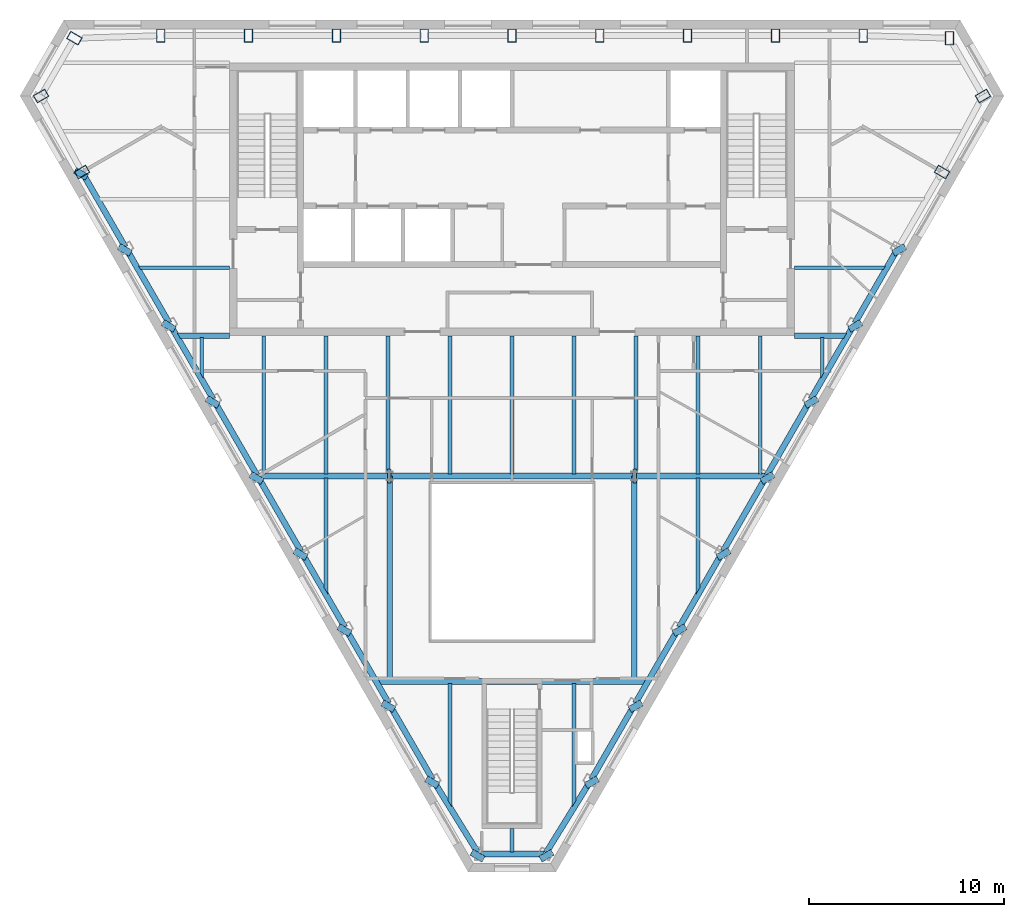
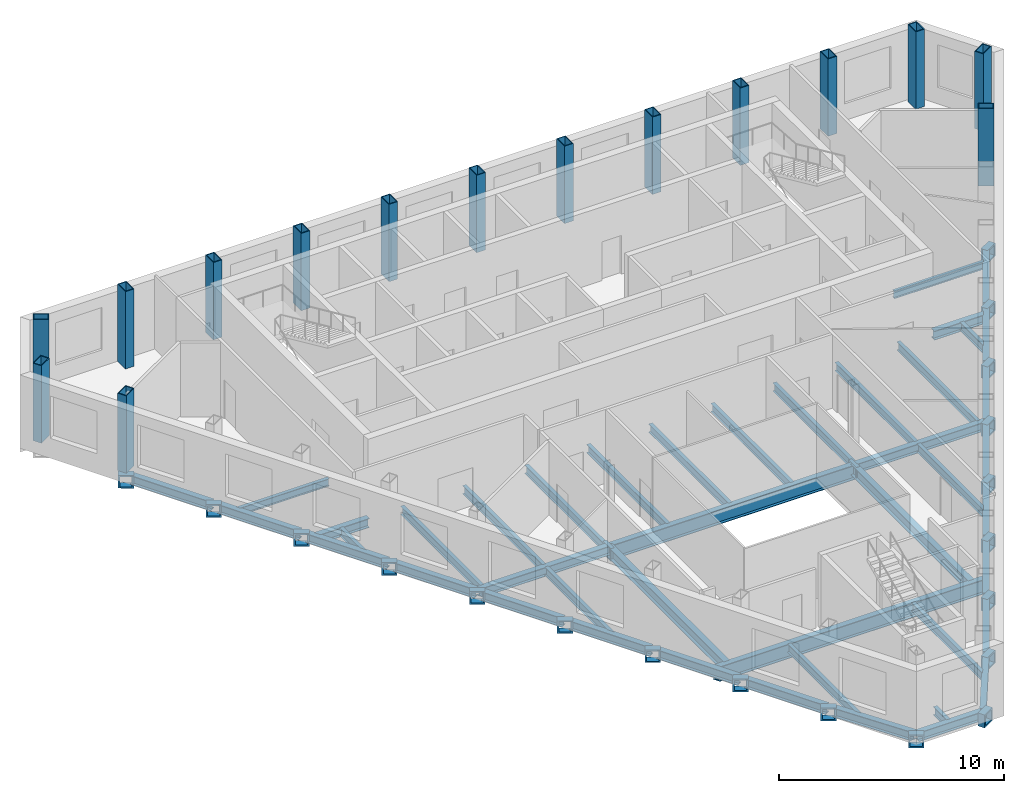
# One storey, part 2 of 11: 65 beams, 15 columns.
"""IFC4 building model written with IfcOpenShell, lengths in metres."""

from ifc_helpers import new_model, si_unit, direction, frame, origin, origin_2d, place, context, subcontext, project, spatial, hollow_rectangle, i_section, extrude, clip, halfspace, material, material_profile, profile_set, type_object, element, save


model = new_model("IFC4")

# Units and contexts
model_context = context("Model", 3, precision=1e-05, world=origin(), true_north=direction((0.0, 1.0)))
body_context = subcontext(model_context, "Body", "Model", "MODEL_VIEW")
ifc_project = project(units=[si_unit("LENGTHUNIT", "METRE"), si_unit("AREAUNIT", "SQUARE_METRE"), si_unit("VOLUMEUNIT", "CUBIC_METRE"), si_unit("PLANEANGLEUNIT", "RADIAN"), si_unit("MASSUNIT", "GRAM", prefix="KILO")], contexts=[model_context])

# Site, building, storey
site_placement = place(None, origin())
site = spatial("IfcSite", under=ifc_project, at=site_placement, CompositionType="ELEMENT")
building_placement = place(site_placement, origin())
building = spatial("IfcBuilding", under=site, at=building_placement, Name="Njiva Tower", CompositionType="ELEMENT")
storey_placement = place(building_placement, frame((0.0, 0.0, 312.6)))
storey = spatial("IfcBuildingStorey", under=building, at=storey_placement, Name="L71", CompositionType="ELEMENT", Elevation=312.6)

# Columns
ifc_material = material(Name="Steel S355 J2", Category="steel")
ifc_material_profile_1 = material_profile(ifc_material, hollow_rectangle(XDim=0.45, YDim=0.7, WallThickness=0.04, at=origin_2d()), Name="BOX 700x450x40")
ifc_profile_set_1 = profile_set([ifc_material_profile_1], Name="Steel S355 J2")
column_type = type_object("IfcColumnType", Name="C15 Perimeter tube column BOX 700x450x40", PredefinedType="COLUMN", material=ifc_profile_set_1)
for number, where, z_axis, x_axis, name in (
    (1, (22.456, 19.267, 0.0), (0.0, 0.0, 1.0), (-1.0, 0.0, 0.0), "Perimeter tube column S24-C01"),
    (2, (18.026, 19.4, 0.0), (0.0, 0.0, 1.0), (-1.0, 0.0, 0.0), "Perimeter tube column S24-C02"),
    (3, (13.52, 19.4, 0.0), (0.0, 0.0, 1.0), (-1.0, 0.0, 0.0), "Perimeter tube column S24-C03"),
    (4, (9.013, 19.4, 0.0), (0.0, 0.0, 1.0), (-1.0, 0.0, 0.0), "Perimeter tube column S24-C04"),
    (5, (4.507, 19.4, 0.0), (0.0, 0.0, 1.0), (-1.0, 0.0, 0.0), "Perimeter tube column S24-C05"),
    (6, (0.0, 19.4, 0.0), (0.0, 0.0, 1.0), (-1.0, 0.0, 0.0), "Perimeter tube column S24-C06"),
    (7, (-4.507, 19.4, 0.0), (0.0, 0.0, 1.0), (-1.0, 0.0, 0.0), "Perimeter tube column S24-C07"),
    (8, (-9.013, 19.4, 0.0), (0.0, 0.0, 1.0), (-1.0, 0.0, 0.0), "Perimeter tube column S24-C08"),
    (9, (-13.52, 19.4, 0.0), (0.0, 0.0, 1.0), (-1.0, 0.0, 0.0), "Perimeter tube column S24-C09"),
    (10, (-18.026, 19.4, 0.0), (0.0, 0.0, 1.0), (-1.0, 0.0, 0.0), "Perimeter tube column S24-C10"),
    (11, (-22.456, 19.267, 0.0), (0.0, 0.0, 1.0), (-0.5, -0.866025403784, 0.0), "Perimeter tube column S24-C11"),
    (12, (-24.168, 16.303, 0.0), (0.0, 0.0, 1.0), (0.5, -0.866025403784, 0.0), "Perimeter tube column S24-C12"),
    (13, (-22.068, 12.4, 0.0), (0.0, 0.0, 1.0), (0.5, -0.866025403784, 0.0), "Perimeter tube column S24-C13"),
    (14, (22.068, 12.4, 0.0), (0.0, 0.0, 1.0), (0.5, 0.866025403784, 0.0), "Perimeter tube column S24-C32"),
    (15, (24.168, 16.303, 0.0), (0.0, 0.0, 1.0), (-0.5, 0.866025403784, 0.0), "Perimeter tube column S24-C33"),
):
    element("IfcColumn", number, at=place(storey_placement, frame(where, z_axis=z_axis, x_axis=x_axis)), inside=storey, type_object=column_type, Name=name, PredefinedType="COLUMN", context=body_context, shape_type="SweptSolid", body=[
        extrude(hollow_rectangle(XDim=0.45, YDim=0.7, WallThickness=0.04, at=origin_2d()), origin(), (0.0, 0.0, 1.0), 4.2),
    ])

# Beams
ifc_material_profile_2 = material_profile(ifc_material, hollow_rectangle(XDim=0.7, YDim=0.7, WallThickness=0.08, at=origin_2d()), Name="BOX 700x700x80")
ifc_profile_set_2 = profile_set([ifc_material_profile_2], Name="Steel S355 J2")
beam_type_1 = type_object("IfcBeamType", Name="B19 Column jog beam BOX 700x700x80", PredefinedType="BEAM", material=ifc_profile_set_2)
for number, where, z_axis, x_axis, name in (
    (16, (-22.208, 12.158, -0.55), (0.500571914019, 0.865694957185, 0.0), (-0.865694957185, 0.500571914019, 0.0), "Column jog beam S24-B016"),
    (17, (-19.955, 8.255, -0.55), (0.500571914019, 0.865694957185, 0.0), (-0.865694957185, 0.500571914019, 0.0), "Column jog beam S24-B017"),
    (18, (-17.701, 4.352, -0.55), (0.500571914019, 0.865694957185, 0.0), (-0.865694957185, 0.500571914019, 0.0), "Column jog beam S24-B018"),
    (19, (-15.448, 0.449, -0.55), (0.500571914019, 0.865694957185, 0.0), (-0.865694957185, 0.500571914019, 0.0), "Column jog beam S24-B019"),
):
    element("IfcBeam", number, at=place(storey_placement, frame(where, z_axis=z_axis, x_axis=x_axis)), inside=storey, type_object=beam_type_1, Name=name, PredefinedType="BEAM", context=body_context, shape_type="SweptSolid", body=[
        extrude(hollow_rectangle(XDim=0.7, YDim=0.7, WallThickness=0.08, at=origin_2d()), origin(), (0.0, 0.0, 1.0), 0.3396),
    ])
for number, where, z_axis, x_axis, name in (
    (20, (-13.195, -3.454, -0.55), (0.499298623879, 0.866429964967, 0.0), (-0.866429964967, 0.499298623879, 0.0), "Column jog beam S24-B020"),
    (21, (-10.941, -7.357, -0.55), (0.499298623879, 0.866429964967, 0.0), (-0.866429964967, 0.499298623879, 0.0), "Column jog beam S24-B021"),
    (22, (-8.688, -11.26, -0.55), (0.499298623879, 0.866429964967, 0.0), (-0.866429964967, 0.499298623879, 0.0), "Column jog beam S24-B022"),
):
    element("IfcBeam", number, at=place(storey_placement, frame(where, z_axis=z_axis, x_axis=x_axis)), inside=storey, type_object=beam_type_1, Name=name, PredefinedType="BEAM", context=body_context, shape_type="SweptSolid", body=[
        extrude(hollow_rectangle(XDim=0.7, YDim=0.7, WallThickness=0.08, at=origin_2d()), origin(), (0.0, 0.0, 1.0), 0.3405),
    ])
for number, where, z_axis, x_axis, name in (
    (23, (-6.435, -15.162, -0.55), (0.500571914019, 0.865694957185, 0.0), (-0.865694957185, 0.500571914019, 0.0), "Column jog beam S24-B023"),
    (24, (-4.181, -19.065, -0.55), (0.500571914019, 0.865694957185, 0.0), (-0.865694957185, 0.500571914019, 0.0), "Column jog beam S24-B025"),
    (25, (-1.851, -22.835, -0.55), (0.500571914019, 0.865694957185, 0.0), (-0.865694957185, 0.500571914019, 0.0), "Column jog beam S24-B026"),
    (26, (1.851, -22.835, -0.55), (-0.500571914019, 0.865694957185, 0.0), (-0.865694957185, -0.500571914019, 0.0), "Column jog beam S24-B027"),
    (27, (4.181, -19.065, -0.55), (-0.500571914019, 0.865694957185, 0.0), (-0.865694957185, -0.500571914019, 0.0), "Column jog beam S24-B028"),
    (28, (6.435, -15.162, -0.55), (-0.500571914019, 0.865694957185, 0.0), (-0.865694957185, -0.500571914019, 0.0), "Column jog beam S24-B030"),
):
    element("IfcBeam", number, at=place(storey_placement, frame(where, z_axis=z_axis, x_axis=x_axis)), inside=storey, type_object=beam_type_1, Name=name, PredefinedType="BEAM", context=body_context, shape_type="SweptSolid", body=[
        extrude(hollow_rectangle(XDim=0.7, YDim=0.7, WallThickness=0.08, at=origin_2d()), origin(), (0.0, 0.0, 1.0), 0.3396),
    ])
for number, where, z_axis, x_axis, name in (
    (29, (8.688, -11.26, -0.55), (-0.499298623879, 0.866429964967, 0.0), (-0.866429964967, -0.499298623879, 0.0), "Column jog beam S24-B031"),
    (30, (10.941, -7.357, -0.55), (-0.499298623879, 0.866429964967, 0.0), (-0.866429964967, -0.499298623879, 0.0), "Column jog beam S24-B032"),
    (31, (13.195, -3.454, -0.55), (-0.499298623879, 0.866429964967, 0.0), (-0.866429964967, -0.499298623879, 0.0), "Column jog beam S24-B033"),
):
    element("IfcBeam", number, at=place(storey_placement, frame(where, z_axis=z_axis, x_axis=x_axis)), inside=storey, type_object=beam_type_1, Name=name, PredefinedType="BEAM", context=body_context, shape_type="SweptSolid", body=[
        extrude(hollow_rectangle(XDim=0.7, YDim=0.7, WallThickness=0.08, at=origin_2d()), origin(), (0.0, 0.0, 1.0), 0.3405),
    ])
for number, where, z_axis, x_axis, name in (
    (32, (15.448, 0.449, -0.55), (-0.500571914019, 0.865694957185, 0.0), (-0.865694957185, -0.500571914019, 0.0), "Column jog beam S24-B034"),
    (33, (17.701, 4.352, -0.55), (-0.500571914019, 0.865694957185, 0.0), (-0.865694957185, -0.500571914019, 0.0), "Column jog beam S24-B035"),
    (34, (19.955, 8.255, -0.55), (-0.500571914019, 0.865694957185, 0.0), (-0.865694957185, -0.500571914019, 0.0), "Column jog beam S24-B036"),
):
    element("IfcBeam", number, at=place(storey_placement, frame(where, z_axis=z_axis, x_axis=x_axis)), inside=storey, type_object=beam_type_1, Name=name, PredefinedType="BEAM", context=body_context, shape_type="SweptSolid", body=[
        extrude(hollow_rectangle(XDim=0.7, YDim=0.7, WallThickness=0.08, at=origin_2d()), origin(), (0.0, 0.0, 1.0), 0.3396),
    ])
for number, where, z_axis, x_axis, name in (
    (35, (6.39, -3.2, -0.55), (-1.0, 0.0, 0.0), (0.0, -1.0, 0.0), "Column jog beam S24-B029"),
    (36, (-6.39, -3.2, -0.55), (1.0, 0.0, 0.0), (0.0, 1.0, 0.0), "Column jog beam S24-B024"),
):
    element("IfcBeam", number, at=place(storey_placement, frame(where, z_axis=z_axis, x_axis=x_axis)), inside=storey, type_object=beam_type_1, Name=name, PredefinedType="BEAM", context=body_context, shape_type="SweptSolid", body=[
        extrude(hollow_rectangle(XDim=0.7, YDim=0.7, WallThickness=0.08, at=origin_2d()), origin(), (0.0, 0.0, 1.0), 0.18),
    ])
ifc_material_profile_3 = material_profile(ifc_material, i_section(OverallWidth=0.3, OverallDepth=0.59, WebThickness=0.013, FlangeThickness=0.025, at=origin_2d()), Name="HEA 600")
ifc_profile_set_3 = profile_set([ifc_material_profile_3], Name="Steel S355 J2")
beam_type_2 = type_object("IfcBeamType", Name="B30 Long-span atrium trimmer beam HEA 600", PredefinedType="BEAM", material=ifc_profile_set_3)
for number, where, z_axis, x_axis, name in (
    (37, (6.27, -13.65, -0.495), (0.0, 1.0, 0.0), (-1.0, 0.0, 0.0), "Long-span atrium trimmer beam S24-B064"),
    (38, (-6.27, -3.2, -0.495), (0.0, -1.0, 0.0), (1.0, 0.0, 0.0), "Long-span atrium trimmer beam S24-B061"),
):
    element("IfcBeam", number, at=place(storey_placement, frame(where, z_axis=z_axis, x_axis=x_axis)), inside=storey, type_object=beam_type_2, Name=name, PredefinedType="BEAM", context=body_context, shape_type="SweptSolid", body=[
        extrude(i_section(OverallWidth=0.3, OverallDepth=0.59, WebThickness=0.013, FlangeThickness=0.025, at=origin_2d()), origin(), (0.0, 0.0, 1.0), 10.45),
    ])
ifc_material_profile_4 = material_profile(ifc_material, i_section(OverallWidth=0.3, OverallDepth=0.49, WebThickness=0.012, FlangeThickness=0.023, at=origin_2d()), Name="HEA 500")
ifc_profile_set_4 = profile_set([ifc_material_profile_4], Name="Steel S355 J2")
beam_type_3 = type_object("IfcBeamType", Name="B48 Short-span spandrel beam HEA 500", PredefinedType="SPANDREL", material=ifc_profile_set_4)
beam_1_placement = place(storey_placement, frame((-21.926, 12.154, -0.445), z_axis=(0.500097243556, -0.865969252911, 0.0), x_axis=(0.865969252911, 0.500097243556, 0.0)))
element("IfcBeam", 39, at=beam_1_placement, inside=storey, type_object=beam_type_3, Name="Short-span spandrel beam S24-B071", PredefinedType="SPANDREL", context=body_context, shape_type="SweptSolid", body=[
    extrude(i_section(OverallWidth=0.3, OverallDepth=0.49, WebThickness=0.012, FlangeThickness=0.023, at=origin_2d()), origin(), (0.0, 0.0, 1.0), 4.1572),
])
beam_2_placement = place(storey_placement, frame((-19.672, 8.251, -0.445), z_axis=(0.499916824138, -0.866073420066, 0.0), x_axis=(0.866073420066, 0.499916824138, 0.0)))
element("IfcBeam", 40, at=beam_2_placement, inside=storey, type_object=beam_type_3, Name="Short-span spandrel beam S24-B073", PredefinedType="SPANDREL", context=body_context, shape_type="SweptSolid", body=[
    extrude(i_section(OverallWidth=0.3, OverallDepth=0.49, WebThickness=0.012, FlangeThickness=0.023, at=origin_2d()), origin(), (0.0, 0.0, 1.0), 4.1567),
])
for number, where, z_axis, x_axis, name in (
    (41, (-17.419, 4.348, -0.445), (0.500097243556, -0.865969252911, 0.0), (0.865969252911, 0.500097243556, 0.0), "Short-span spandrel beam S24-B076"),
    (42, (-15.166, 0.445, -0.445), (0.500097243556, -0.865969252911, 0.0), (0.865969252911, 0.500097243556, 0.0), "Short-span spandrel beam S24-B078"),
):
    element("IfcBeam", number, at=place(storey_placement, frame(where, z_axis=z_axis, x_axis=x_axis)), inside=storey, type_object=beam_type_3, Name=name, PredefinedType="SPANDREL", context=body_context, shape_type="SweptSolid", body=[
        extrude(i_section(OverallWidth=0.3, OverallDepth=0.49, WebThickness=0.012, FlangeThickness=0.023, at=origin_2d()), origin(), (0.0, 0.0, 1.0), 4.1572),
    ])
beam_3_placement = place(storey_placement, frame((-12.912, -3.458, -0.445), z_axis=(0.499916824138, -0.866073420066, 0.0), x_axis=(0.866073420066, 0.499916824138, 0.0)))
element("IfcBeam", 43, at=beam_3_placement, inside=storey, type_object=beam_type_3, Name="Short-span spandrel beam S24-B081", PredefinedType="SPANDREL", context=body_context, shape_type="SweptSolid", body=[
    extrude(i_section(OverallWidth=0.3, OverallDepth=0.49, WebThickness=0.012, FlangeThickness=0.023, at=origin_2d()), origin(), (0.0, 0.0, 1.0), 4.1567),
])
beam_4_placement = place(storey_placement, frame((-10.659, -7.361, -0.445), z_axis=(0.500097243556, -0.865969252911, 0.0), x_axis=(0.865969252911, 0.500097243556, 0.0)))
element("IfcBeam", 44, at=beam_4_placement, inside=storey, type_object=beam_type_3, Name="Short-span spandrel beam S24-B083", PredefinedType="SPANDREL", context=body_context, shape_type="SweptSolid", body=[
    extrude(i_section(OverallWidth=0.3, OverallDepth=0.49, WebThickness=0.012, FlangeThickness=0.023, at=origin_2d()), origin(), (0.0, 0.0, 1.0), 4.1572),
])
beam_5_placement = place(storey_placement, frame((-8.405, -11.264, -0.445), z_axis=(0.500021003115, -0.866013277291, 0.0), x_axis=(0.866013277291, 0.500021003115, 0.0)))
element("IfcBeam", 45, at=beam_5_placement, inside=storey, type_object=beam_type_3, Name="Short-span spandrel beam S24-B086", PredefinedType="SPANDREL", context=body_context, shape_type="SweptSolid", body=[
    extrude(i_section(OverallWidth=0.3, OverallDepth=0.49, WebThickness=0.012, FlangeThickness=0.023, at=origin_2d()), origin(), (0.0, 0.0, 1.0), 4.1558),
])
beam_6_placement = place(storey_placement, frame((-6.153, -15.166, -0.445), z_axis=(0.500097243556, -0.865969252911, 0.0), x_axis=(0.865969252911, 0.500097243556, 0.0)))
element("IfcBeam", 46, at=beam_6_placement, inside=storey, type_object=beam_type_3, Name="Short-span spandrel beam S24-B088", PredefinedType="SPANDREL", context=body_context, shape_type="SweptSolid", body=[
    extrude(i_section(OverallWidth=0.3, OverallDepth=0.49, WebThickness=0.012, FlangeThickness=0.023, at=origin_2d()), origin(), (0.0, 0.0, 1.0), 4.1572),
])
beam_7_placement = place(storey_placement, frame((-3.89, -19.068, -0.445), z_axis=(0.525805714585, -0.850604696972, 0.0), x_axis=(0.850604696972, 0.525805714585, 0.0)))
element("IfcBeam", 47, at=beam_7_placement, inside=storey, type_object=beam_type_3, Name="Short-span spandrel beam S24-B091", PredefinedType="SPANDREL", context=body_context, shape_type="Clipping", body=[
    clip(extrude(i_section(OverallWidth=0.3, OverallDepth=0.49, WebThickness=0.012, FlangeThickness=0.023, at=origin_2d()), origin(), (0.0, 0.0, 1.0), 4.1278), halfspace(frame((-0.0263, 0.0, 3.9985), z_axis=(-0.525805714585, 0.0, 0.850604696972), x_axis=(0.0, 1.0, 0.0)), False)),
])
beam_8_placement = place(storey_placement, frame((-1.646, -22.593, -0.445), z_axis=(1.0, 0.0, 0.0), x_axis=(0.0, 1.0, 0.0)))
element("IfcBeam", 48, at=beam_8_placement, inside=storey, type_object=beam_type_3, Name="Short-span spandrel beam S24-B092", PredefinedType="SPANDREL", context=body_context, shape_type="Clipping", body=[
    clip(extrude(i_section(OverallWidth=0.3, OverallDepth=0.49, WebThickness=0.012, FlangeThickness=0.023, at=origin_2d()), origin(), (0.0, 0.0, 1.0), 3.338), halfspace(frame((-0.0245, 0.0, 3.2161), z_axis=(-0.499998009787, 0.0, 0.866026552831), x_axis=(0.0, 1.0, 0.0)), False)),
])
beam_9_placement = place(storey_placement, frame((1.747, -22.534, -0.445), z_axis=(0.525889887246, 0.850552659447, 0.0), x_axis=(-0.850552659447, 0.525889887246, 0.0)))
element("IfcBeam", 49, at=beam_9_placement, inside=storey, type_object=beam_type_3, Name="Short-span spandrel beam S24-B095", PredefinedType="SPANDREL", context=body_context, shape_type="SweptSolid", body=[
    extrude(i_section(OverallWidth=0.3, OverallDepth=0.49, WebThickness=0.012, FlangeThickness=0.023, at=origin_2d()), origin(), (0.0, 0.0, 1.0), 4.075),
])
beam_10_placement = place(storey_placement, frame((4.074, -18.766, -0.445), z_axis=(0.500097243556, 0.865969252911, 0.0), x_axis=(-0.865969252911, 0.500097243556, 0.0)))
element("IfcBeam", 50, at=beam_10_placement, inside=storey, type_object=beam_type_3, Name="Short-span spandrel beam S24-B097", PredefinedType="SPANDREL", context=body_context, shape_type="SweptSolid", body=[
    extrude(i_section(OverallWidth=0.3, OverallDepth=0.49, WebThickness=0.012, FlangeThickness=0.023, at=origin_2d()), origin(), (0.0, 0.0, 1.0), 4.1572),
])
beam_11_placement = place(storey_placement, frame((6.327, -14.863, -0.445), z_axis=(0.500021003115, 0.866013277291, 0.0), x_axis=(-0.866013277291, 0.500021003115, 0.0)))
element("IfcBeam", 51, at=beam_11_placement, inside=storey, type_object=beam_type_3, Name="Short-span spandrel beam S24-B100", PredefinedType="SPANDREL", context=body_context, shape_type="SweptSolid", body=[
    extrude(i_section(OverallWidth=0.3, OverallDepth=0.49, WebThickness=0.012, FlangeThickness=0.023, at=origin_2d()), origin(), (0.0, 0.0, 1.0), 4.1558),
])
beam_12_placement = place(storey_placement, frame((8.58, -10.961, -0.445), z_axis=(0.500097243556, 0.865969252911, 0.0), x_axis=(-0.865969252911, 0.500097243556, 0.0)))
element("IfcBeam", 52, at=beam_12_placement, inside=storey, type_object=beam_type_3, Name="Short-span spandrel beam S24-B102", PredefinedType="SPANDREL", context=body_context, shape_type="SweptSolid", body=[
    extrude(i_section(OverallWidth=0.3, OverallDepth=0.49, WebThickness=0.012, FlangeThickness=0.023, at=origin_2d()), origin(), (0.0, 0.0, 1.0), 4.1572),
])
beam_13_placement = place(storey_placement, frame((10.834, -7.058, -0.445), z_axis=(0.499916824138, 0.866073420066, 0.0), x_axis=(-0.866073420066, 0.499916824138, 0.0)))
element("IfcBeam", 53, at=beam_13_placement, inside=storey, type_object=beam_type_3, Name="Short-span spandrel beam S24-B105", PredefinedType="SPANDREL", context=body_context, shape_type="SweptSolid", body=[
    extrude(i_section(OverallWidth=0.3, OverallDepth=0.49, WebThickness=0.012, FlangeThickness=0.023, at=origin_2d()), origin(), (0.0, 0.0, 1.0), 4.1567),
])
for number, where, z_axis, x_axis, name in (
    (54, (13.087, -3.155, -0.445), (0.500097243556, 0.865969252911, 0.0), (-0.865969252911, 0.500097243556, 0.0), "Short-span spandrel beam S24-B107"),
    (55, (15.34, 0.748, -0.445), (0.500097243556, 0.865969252911, 0.0), (-0.865969252911, 0.500097243556, 0.0), "Short-span spandrel beam S24-B110"),
):
    element("IfcBeam", number, at=place(storey_placement, frame(where, z_axis=z_axis, x_axis=x_axis)), inside=storey, type_object=beam_type_3, Name=name, PredefinedType="SPANDREL", context=body_context, shape_type="SweptSolid", body=[
        extrude(i_section(OverallWidth=0.3, OverallDepth=0.49, WebThickness=0.012, FlangeThickness=0.023, at=origin_2d()), origin(), (0.0, 0.0, 1.0), 4.1572),
    ])
beam_14_placement = place(storey_placement, frame((17.594, 4.651, -0.445), z_axis=(0.499916824138, 0.866073420066, 0.0), x_axis=(-0.866073420066, 0.499916824138, 0.0)))
element("IfcBeam", 56, at=beam_14_placement, inside=storey, type_object=beam_type_3, Name="Short-span spandrel beam S24-B112", PredefinedType="SPANDREL", context=body_context, shape_type="SweptSolid", body=[
    extrude(i_section(OverallWidth=0.3, OverallDepth=0.49, WebThickness=0.012, FlangeThickness=0.023, at=origin_2d()), origin(), (0.0, 0.0, 1.0), 4.1567),
])
ifc_material_profile_5 = material_profile(ifc_material, i_section(OverallWidth=0.3, OverallDepth=0.49, WebThickness=0.012, FlangeThickness=0.023, at=origin_2d()), Name="HEA 500")
ifc_profile_set_5 = profile_set([ifc_material_profile_5], Name="Steel S355 J2")
beam_type_4 = type_object("IfcBeamType", Name="B49 Floor girder HEA 500", PredefinedType="BEAM", material=ifc_profile_set_5)
beam_15_placement = place(storey_placement, frame((-13.042, -3.2, -0.445), z_axis=(1.0, 0.0, 0.0), x_axis=(0.0, 1.0, 0.0)))
element("IfcBeam", 57, at=beam_15_placement, inside=storey, type_object=beam_type_4, Name="Floor girder S24-B010", PredefinedType="BEAM", context=body_context, shape_type="Clipping", body=[
    clip(extrude(i_section(OverallWidth=0.3, OverallDepth=0.49, WebThickness=0.012, FlangeThickness=0.023, at=origin_2d()), origin(), (0.0, 0.0, 1.0), 6.772), halfspace(frame((-0.025, 0.0, 0.1212), z_axis=(-0.499998009787, 0.0, -0.866026552831), x_axis=(0.0, -1.0, 0.0)), False)),
])
beam_16_placement = place(storey_placement, frame((6.27, -3.2, -0.445), z_axis=(1.0, 0.0, 0.0), x_axis=(0.0, 1.0, 0.0)))
element("IfcBeam", 58, at=beam_16_placement, inside=storey, type_object=beam_type_4, Name="Floor girder S24-B013", PredefinedType="BEAM", context=body_context, shape_type="Clipping", body=[
    clip(extrude(i_section(OverallWidth=0.3, OverallDepth=0.49, WebThickness=0.012, FlangeThickness=0.023, at=origin_2d()), origin(), (0.0, 0.0, 1.0), 6.772), halfspace(frame((-0.025, 0.0, 6.6508), z_axis=(-0.499998009787, 0.0, 0.866026552831), x_axis=(0.0, 1.0, 0.0)), False)),
])
ifc_material_profile_6 = material_profile(ifc_material, i_section(OverallWidth=0.3, OverallDepth=0.49, WebThickness=0.012, FlangeThickness=0.023, at=origin_2d()), Name="HEA 500")
ifc_profile_set_6 = profile_set([ifc_material_profile_6], Name="Steel S355 J2")
beam_type_5 = type_object("IfcBeamType", Name="B50 Short-span floor girder HEA 500", PredefinedType="BEAM", material=ifc_profile_set_6)
beam_17_placement = place(storey_placement, frame((-17.21, 4.0, -0.445), z_axis=(1.0, 0.0, 0.0), x_axis=(0.0, 1.0, 0.0)))
element("IfcBeam", 59, at=beam_17_placement, inside=storey, type_object=beam_type_5, Name="Short-span floor girder S24-B009", PredefinedType="BEAM", context=body_context, shape_type="Clipping", body=[
    clip(extrude(i_section(OverallWidth=0.3, OverallDepth=0.49, WebThickness=0.012, FlangeThickness=0.023, at=origin_2d()), origin(), (0.0, 0.0, 1.0), 2.71), halfspace(frame((-0.025, 0.0, 0.1217), z_axis=(-0.499998009787, 0.0, -0.866026552831), x_axis=(0.0, -1.0, 0.0)), False)),
])
beam_18_placement = place(storey_placement, frame((14.5, 4.0, -0.445), z_axis=(1.0, 0.0, 0.0), x_axis=(0.0, 1.0, 0.0)))
element("IfcBeam", 60, at=beam_18_placement, inside=storey, type_object=beam_type_5, Name="Short-span floor girder S24-B014", PredefinedType="BEAM", context=body_context, shape_type="Clipping", body=[
    clip(extrude(i_section(OverallWidth=0.3, OverallDepth=0.49, WebThickness=0.012, FlangeThickness=0.023, at=origin_2d()), origin(), (0.0, 0.0, 1.0), 2.71), halfspace(frame((-0.025, 0.0, 2.5883), z_axis=(-0.499998009787, 0.0, 0.866026552831), x_axis=(0.0, 1.0, 0.0)), False)),
])
ifc_material_profile_7 = material_profile(ifc_material, i_section(OverallWidth=0.18, OverallDepth=0.4, WebThickness=0.0086, FlangeThickness=0.0135, at=origin_2d()), Name="IPE 400")
ifc_profile_set_7 = profile_set([ifc_material_profile_7], Name="Steel S355 J2")
beam_type_6 = type_object("IfcBeamType", Name="B51 Floor beam to the core IPE 400", PredefinedType="BEAM", material=ifc_profile_set_7)
beam_19_placement = place(storey_placement, frame((-19.195, 7.5, -0.4), z_axis=(1.0, 0.0, 0.0), x_axis=(0.0, 1.0, 0.0)))
element("IfcBeam", 61, at=beam_19_placement, inside=storey, type_object=beam_type_6, Name="Floor beam to the core S24-B004", PredefinedType="BEAM", context=body_context, shape_type="Clipping", body=[
    clip(extrude(i_section(OverallWidth=0.18, OverallDepth=0.4, WebThickness=0.0086, FlangeThickness=0.0135, at=origin_2d()), origin(), (0.0, 0.0, 1.0), 4.695), halfspace(frame((-0.025, 0.0, 0.086), z_axis=(-0.499998009787, 0.0, -0.866026552831), x_axis=(0.0, -1.0, 0.0)), False)),
])
beam_20_placement = place(storey_placement, frame((14.5, 7.5, -0.4), z_axis=(1.0, 0.0, 0.0), x_axis=(0.0, 1.0, 0.0)))
element("IfcBeam", 62, at=beam_20_placement, inside=storey, type_object=beam_type_6, Name="Floor beam to the core S24-B005", PredefinedType="BEAM", context=body_context, shape_type="Clipping", body=[
    clip(extrude(i_section(OverallWidth=0.18, OverallDepth=0.4, WebThickness=0.0086, FlangeThickness=0.0135, at=origin_2d()), origin(), (0.0, 0.0, 1.0), 4.695), halfspace(frame((-0.025, 0.0, 4.609), z_axis=(-0.499998009787, 0.0, 0.866026552831), x_axis=(0.0, 1.0, 0.0)), False)),
])
ifc_material_profile_8 = material_profile(ifc_material, i_section(OverallWidth=0.19, OverallDepth=0.45, WebThickness=0.0094, FlangeThickness=0.0146, at=origin_2d()), Name="IPE 450")
ifc_profile_set_8 = profile_set([ifc_material_profile_8], Name="Steel S355 J2")
beam_type_7 = type_object("IfcBeamType", Name="B52 Short-span floor joist IPE 450", PredefinedType="JOIST", material=ifc_profile_set_8)
beam_21_placement = place(storey_placement, frame((-15.917, 3.9, -0.425), z_axis=(0.0, -1.0, 0.0), x_axis=(1.0, 0.0, 0.0)))
element("IfcBeam", 63, at=beam_21_placement, inside=storey, type_object=beam_type_7, Name="Short-span floor joist S24-B039", PredefinedType="JOIST", context=body_context, shape_type="Clipping", body=[
    clip(extrude(i_section(OverallWidth=0.19, OverallDepth=0.45, WebThickness=0.0094, FlangeThickness=0.0146, at=origin_2d()), origin(), (0.0, 0.0, 1.0), 2.139), halfspace(frame((-0.043, 0.0, 1.8793), z_axis=(-0.866026552831, 0.0, 0.499998009787), x_axis=(0.0, 1.0, 0.0)), False)),
])
beam_22_placement = place(storey_placement, frame((0.0, -21.3, -0.425), z_axis=(0.0, -1.0, 0.0), x_axis=(1.0, 0.0, 0.0)))
element("IfcBeam", 64, at=beam_22_placement, inside=storey, type_object=beam_type_7, Name="Short-span floor joist S24-B048", PredefinedType="JOIST", context=body_context, shape_type="SweptSolid", body=[
    extrude(i_section(OverallWidth=0.19, OverallDepth=0.45, WebThickness=0.0094, FlangeThickness=0.0146, at=origin_2d()), origin(), (0.0, 0.0, 1.0), 1.193),
])
beam_23_placement = place(storey_placement, frame((15.917, 3.9, -0.425), z_axis=(0.0, -1.0, 0.0), x_axis=(1.0, 0.0, 0.0)))
element("IfcBeam", 65, at=beam_23_placement, inside=storey, type_object=beam_type_7, Name="Short-span floor joist S24-B058", PredefinedType="JOIST", context=body_context, shape_type="Clipping", body=[
    clip(extrude(i_section(OverallWidth=0.19, OverallDepth=0.45, WebThickness=0.0094, FlangeThickness=0.0146, at=origin_2d()), origin(), (0.0, 0.0, 1.0), 2.139), halfspace(frame((0.043, 0.0, 1.8793), z_axis=(0.866026552831, 0.0, 0.499998009787), x_axis=(0.0, 1.0, 0.0)), False)),
])
ifc_material_profile_9 = material_profile(ifc_material, i_section(OverallWidth=0.19, OverallDepth=0.45, WebThickness=0.0094, FlangeThickness=0.0146, at=origin_2d()), Name="IPE 450")
ifc_profile_set_9 = profile_set([ifc_material_profile_9], Name="Steel S355 J2")
beam_type_8 = type_object("IfcBeamType", Name="B53 Floor joist IPE 450", PredefinedType="JOIST", material=ifc_profile_set_9)
for number, where, z_axis, x_axis, name in (
    (66, (-12.733, 3.995, -0.425), (0.0, -1.0, 0.0), (1.0, 0.0, 0.0), "Floor joist S24-B041"),
    (67, (-9.55, 3.995, -0.425), (0.0, -1.0, 0.0), (1.0, 0.0, 0.0), "Floor joist S24-B043"),
):
    element("IfcBeam", number, at=place(storey_placement, frame(where, z_axis=z_axis, x_axis=x_axis)), inside=storey, type_object=beam_type_8, Name=name, PredefinedType="JOIST", context=body_context, shape_type="SweptSolid", body=[
        extrude(i_section(OverallWidth=0.19, OverallDepth=0.45, WebThickness=0.0094, FlangeThickness=0.0146, at=origin_2d()), origin(), (0.0, 0.0, 1.0), 7.095),
    ])
beam_24_placement = place(storey_placement, frame((-9.55, -3.3, -0.425), z_axis=(0.0, -1.0, 0.0), x_axis=(1.0, 0.0, 0.0)))
element("IfcBeam", 68, at=beam_24_placement, inside=storey, type_object=beam_type_8, Name="Floor joist S24-B042", PredefinedType="JOIST", context=body_context, shape_type="Clipping", body=[
    clip(extrude(i_section(OverallWidth=0.19, OverallDepth=0.45, WebThickness=0.0094, FlangeThickness=0.0146, at=origin_2d()), origin(), (0.0, 0.0, 1.0), 5.967), halfspace(frame((-0.0433, 0.0, 5.7067), z_axis=(-0.866026552831, 0.0, 0.499998009787), x_axis=(0.0, 1.0, 0.0)), False)),
])
beam_25_placement = place(storey_placement, frame((-6.367, 3.995, -0.425), z_axis=(0.0, -1.0, 0.0), x_axis=(1.0, 0.0, 0.0)))
element("IfcBeam", 69, at=beam_25_placement, inside=storey, type_object=beam_type_8, Name="Floor joist S24-B045", PredefinedType="JOIST", context=body_context, shape_type="SweptSolid", body=[
    extrude(i_section(OverallWidth=0.19, OverallDepth=0.45, WebThickness=0.0094, FlangeThickness=0.0146, at=origin_2d()), origin(), (0.0, 0.0, 1.0), 7.02),
])
beam_26_placement = place(storey_placement, frame((-3.183, 3.995, -0.425), z_axis=(0.0, -1.0, 0.0), x_axis=(1.0, 0.0, 0.0)))
element("IfcBeam", 70, at=beam_26_placement, inside=storey, type_object=beam_type_8, Name="Floor joist S24-B047", PredefinedType="JOIST", context=body_context, shape_type="SweptSolid", body=[
    extrude(i_section(OverallWidth=0.19, OverallDepth=0.45, WebThickness=0.0094, FlangeThickness=0.0146, at=origin_2d()), origin(), (0.0, 0.0, 1.0), 7.095),
])
beam_27_placement = place(storey_placement, frame((-3.183, -13.85, -0.425), z_axis=(0.0, -1.0, 0.0), x_axis=(1.0, 0.0, 0.0)))
element("IfcBeam", 71, at=beam_27_placement, inside=storey, type_object=beam_type_8, Name="Floor joist S24-B046", PredefinedType="JOIST", context=body_context, shape_type="Clipping", body=[
    clip(extrude(i_section(OverallWidth=0.19, OverallDepth=0.45, WebThickness=0.0094, FlangeThickness=0.0146, at=origin_2d()), origin(), (0.0, 0.0, 1.0), 6.345), halfspace(frame((-0.0429, 0.0, 6.102), z_axis=(-0.850615955969, 0.0, 0.525787500281), x_axis=(0.0, 1.0, 0.0)), False)),
])
for number, where, z_axis, x_axis, name in (
    (72, (0.0, 3.995, -0.425), (0.0, -1.0, 0.0), (1.0, 0.0, 0.0), "Floor joist S24-B049"),
    (73, (3.183, 3.995, -0.425), (0.0, -1.0, 0.0), (1.0, 0.0, 0.0), "Floor joist S24-B051"),
):
    element("IfcBeam", number, at=place(storey_placement, frame(where, z_axis=z_axis, x_axis=x_axis)), inside=storey, type_object=beam_type_8, Name=name, PredefinedType="JOIST", context=body_context, shape_type="SweptSolid", body=[
        extrude(i_section(OverallWidth=0.19, OverallDepth=0.45, WebThickness=0.0094, FlangeThickness=0.0146, at=origin_2d()), origin(), (0.0, 0.0, 1.0), 7.095),
    ])
beam_28_placement = place(storey_placement, frame((3.183, -13.85, -0.425), z_axis=(0.0, -1.0, 0.0), x_axis=(1.0, 0.0, 0.0)))
element("IfcBeam", 74, at=beam_28_placement, inside=storey, type_object=beam_type_8, Name="Floor joist S24-B050", PredefinedType="JOIST", context=body_context, shape_type="Clipping", body=[
    clip(extrude(i_section(OverallWidth=0.19, OverallDepth=0.45, WebThickness=0.0094, FlangeThickness=0.0146, at=origin_2d()), origin(), (0.0, 0.0, 1.0), 6.345), halfspace(frame((0.0429, 0.0, 6.102), z_axis=(0.850615955969, 0.0, 0.525787500281), x_axis=(0.0, 1.0, 0.0)), False)),
])
beam_29_placement = place(storey_placement, frame((6.367, 3.995, -0.425), z_axis=(0.0, -1.0, 0.0), x_axis=(1.0, 0.0, 0.0)))
element("IfcBeam", 75, at=beam_29_placement, inside=storey, type_object=beam_type_8, Name="Floor joist S24-B053", PredefinedType="JOIST", context=body_context, shape_type="SweptSolid", body=[
    extrude(i_section(OverallWidth=0.19, OverallDepth=0.45, WebThickness=0.0094, FlangeThickness=0.0146, at=origin_2d()), origin(), (0.0, 0.0, 1.0), 7.02),
])
beam_30_placement = place(storey_placement, frame((9.55, 3.995, -0.425), z_axis=(0.0, -1.0, 0.0), x_axis=(1.0, 0.0, 0.0)))
element("IfcBeam", 76, at=beam_30_placement, inside=storey, type_object=beam_type_8, Name="Floor joist S24-B055", PredefinedType="JOIST", context=body_context, shape_type="SweptSolid", body=[
    extrude(i_section(OverallWidth=0.19, OverallDepth=0.45, WebThickness=0.0094, FlangeThickness=0.0146, at=origin_2d()), origin(), (0.0, 0.0, 1.0), 7.095),
])
beam_31_placement = place(storey_placement, frame((9.55, -3.3, -0.425), z_axis=(0.0, -1.0, 0.0), x_axis=(1.0, 0.0, 0.0)))
element("IfcBeam", 77, at=beam_31_placement, inside=storey, type_object=beam_type_8, Name="Floor joist S24-B054", PredefinedType="JOIST", context=body_context, shape_type="Clipping", body=[
    clip(extrude(i_section(OverallWidth=0.19, OverallDepth=0.45, WebThickness=0.0094, FlangeThickness=0.0146, at=origin_2d()), origin(), (0.0, 0.0, 1.0), 5.967), halfspace(frame((0.0433, 0.0, 5.7067), z_axis=(0.866026552831, 0.0, 0.499998009787), x_axis=(0.0, 1.0, 0.0)), False)),
])
beam_32_placement = place(storey_placement, frame((12.733, 3.995, -0.425), z_axis=(0.0, -1.0, 0.0), x_axis=(1.0, 0.0, 0.0)))
element("IfcBeam", 78, at=beam_32_placement, inside=storey, type_object=beam_type_8, Name="Floor joist S24-B057", PredefinedType="JOIST", context=body_context, shape_type="SweptSolid", body=[
    extrude(i_section(OverallWidth=0.19, OverallDepth=0.45, WebThickness=0.0094, FlangeThickness=0.0146, at=origin_2d()), origin(), (0.0, 0.0, 1.0), 7.095),
])
ifc_material_profile_10 = material_profile(ifc_material, i_section(OverallWidth=0.3, OverallDepth=0.79, WebThickness=0.015, FlangeThickness=0.028, at=origin_2d()), Name="HEA 800")
ifc_profile_set_10 = profile_set([ifc_material_profile_10], Name="Steel S355 J2")
beam_type_9 = type_object("IfcBeamType", Name="B9 Long-span atrium trimmer beam HEA 800", PredefinedType="BEAM", material=ifc_profile_set_10)
beam_33_placement = place(storey_placement, frame((-6.962, -13.75, -0.595), z_axis=(1.0, 0.0, 0.0), x_axis=(0.0, 1.0, 0.0)))
element("IfcBeam", 79, at=beam_33_placement, inside=storey, type_object=beam_type_9, Name="Long-span atrium trimmer beam S24-B059", PredefinedType="BEAM", context=body_context, shape_type="Clipping", body=[
    clip(clip(extrude(i_section(OverallWidth=0.3, OverallDepth=0.79, WebThickness=0.015, FlangeThickness=0.028, at=origin_2d()), origin(), (0.0, 0.0, 1.0), 13.924), halfspace(frame((-0.025, 0.0, 0.1217), z_axis=(-0.499998009787, 0.0, -0.866026552831), x_axis=(0.0, -1.0, 0.0)), False)), halfspace(frame((-0.025, 0.0, 13.8023), z_axis=(-0.499998009787, 0.0, 0.866026552831), x_axis=(0.0, 1.0, 0.0)), False)),
])
beam_34_placement = place(storey_placement, frame((6.27, -3.2, -0.595), z_axis=(-1.0, 0.0, 0.0), x_axis=(0.0, -1.0, 0.0)))
element("IfcBeam", 80, at=beam_34_placement, inside=storey, type_object=beam_type_9, Name="Long-span atrium trimmer beam S24-B062", PredefinedType="BEAM", context=body_context, shape_type="SweptSolid", body=[
    extrude(i_section(OverallWidth=0.3, OverallDepth=0.79, WebThickness=0.015, FlangeThickness=0.028, at=origin_2d()), origin(), (0.0, 0.0, 1.0), 12.54),
])

save(model, "model.ifc")
